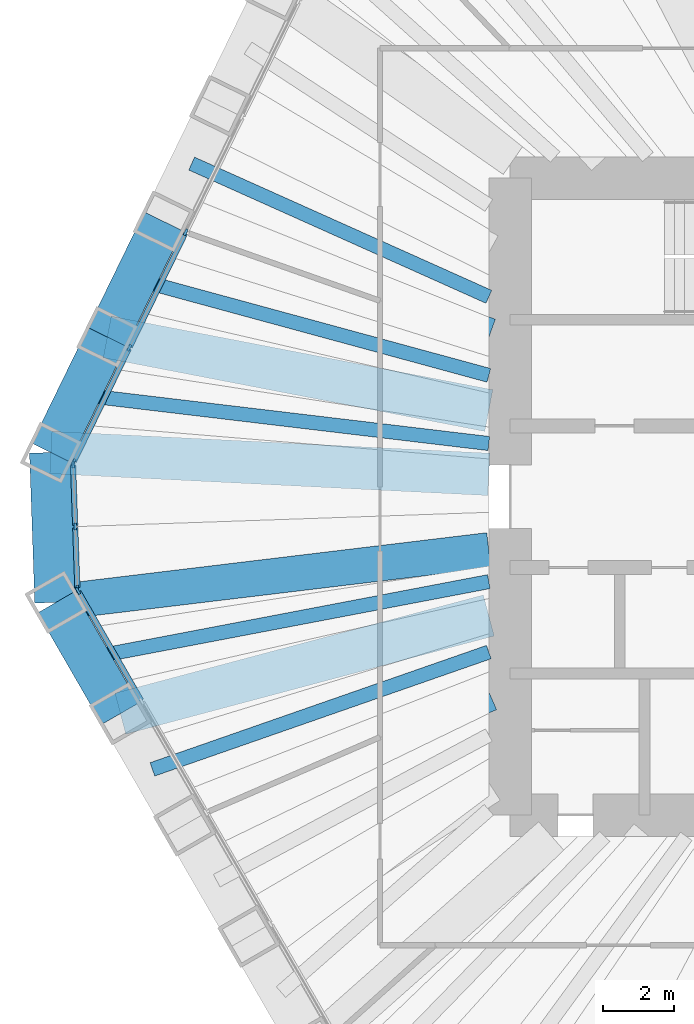
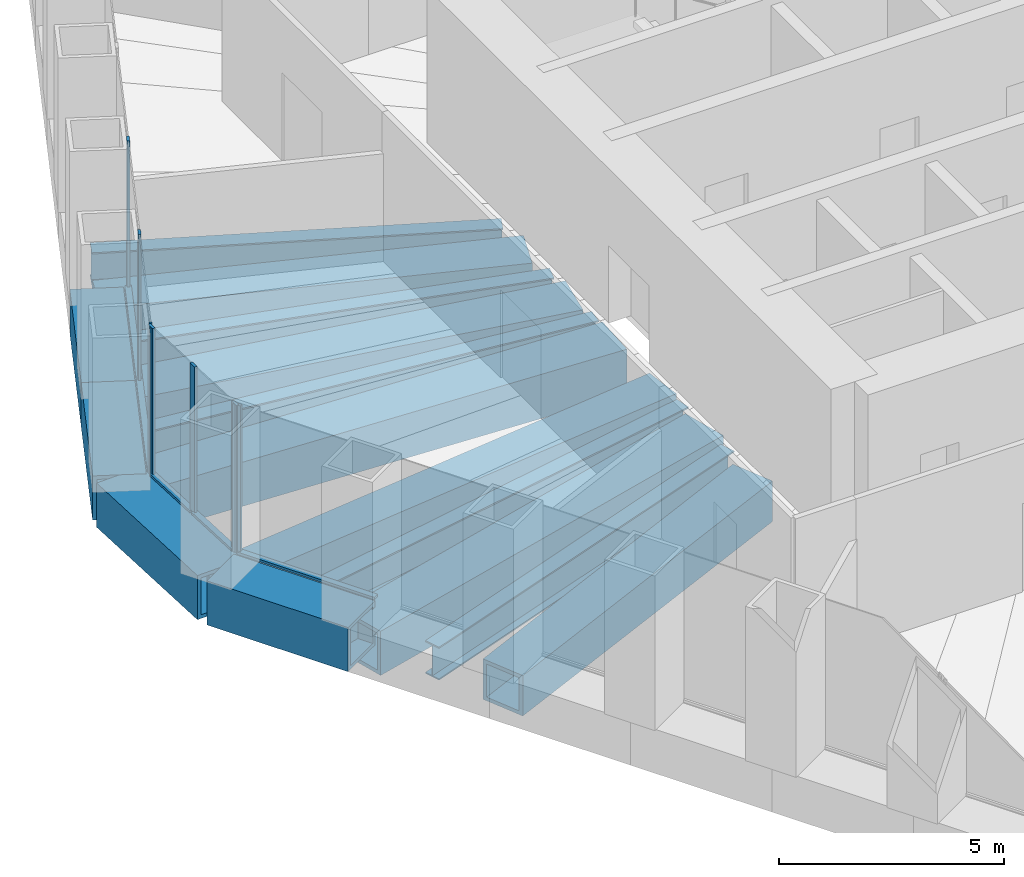
# One storey, part 3 of 20: 16 members, 11 beams, 3 elements without a shape of their own.
"""IFC4 building model written with IfcOpenShell, lengths in metres."""

from ifc_helpers import new_model, si_unit, direction, frame, origin, origin_2d, place, context, subcontext, project, spatial, rectangle, hollow_rectangle, i_section, extrude, material, material_profile, profile_set, type_object, element, aggregate, save


model = new_model("IFC4")

# Units and contexts
model_context = context("Model", 3, precision=1e-05, world=origin(), true_north=direction((0.0, 1.0)))
body_context = subcontext(model_context, "Body", "Model", "MODEL_VIEW")
ifc_project = project(units=[si_unit("LENGTHUNIT", "METRE"), si_unit("AREAUNIT", "SQUARE_METRE"), si_unit("VOLUMEUNIT", "CUBIC_METRE"), si_unit("PLANEANGLEUNIT", "RADIAN"), si_unit("MASSUNIT", "GRAM", prefix="KILO")], contexts=[model_context])

# Site, building, storey
site_placement = place(None, origin())
site = spatial("IfcSite", under=ifc_project, at=site_placement, CompositionType="ELEMENT")
building_placement = place(site_placement, origin())
building = spatial("IfcBuilding", under=site, at=building_placement, Name="Qingtian Harvest Tower", CompositionType="ELEMENT")
storey_placement = place(building_placement, frame((0.0, 0.0, 180.39990234375)))
storey = spatial("IfcBuildingStorey", under=building, at=storey_placement, Name="L38", CompositionType="ELEMENT", Elevation=180.39990234375)

# Members
ifc_material_1 = material(Name="Steel SM570MC", Category="steel")
ifc_material_profile_1 = material_profile(ifc_material_1, hollow_rectangle(XDim=1.199951171875, YDim=1.199951171875, WallThickness=0.10009765625, at=origin_2d()), Name="BOX1200x1200x100")
ifc_profile_set_1 = profile_set([ifc_material_profile_1], Name="Steel SM570MC")
member_type_1 = type_object("IfcMemberType", Name="Belt truss chord BC2 BOX1200x1200x100", PredefinedType="CHORD", material=ifc_profile_set_1)
member_1_placement = place(storey_placement, frame((-23.016357421875, -6.13427734375, -0.599853515625), z_axis=(-0.500026827678, 0.866009914263, 0.0), x_axis=(-0.866009914263, -0.500026827678, 0.0)))
element("IfcMember", 1, at=member_1_placement, inside=storey, type_object=member_type_1, Name="Belt chord BC2 SW5", PredefinedType="CHORD", context=body_context, shape_type="SweptSolid", body=[
    extrude(hollow_rectangle(XDim=1.199951171875, YDim=1.199951171875, WallThickness=0.10009765625, at=origin_2d()), origin(), (0.0, 0.0, 1.0), 3.633544921875),
])
member_2_placement = place(storey_placement, frame((-24.833251953125, -2.987548828125, -0.599853515625), z_axis=(-0.034908677553, 0.999390506375, 0.0), x_axis=(-0.999390506375, -0.034908677553, 0.0)))
element("IfcMember", 2, at=member_2_placement, inside=storey, type_object=member_type_1, Name="Belt chord BC2 SWC", PredefinedType="CHORD", context=body_context, shape_type="SweptSolid", body=[
    extrude(hollow_rectangle(XDim=1.199951171875, YDim=1.199951171875, WallThickness=0.10009765625, at=origin_2d()), origin(), (0.0, 0.0, 1.0), 4.23828125),
])
for number, where, z_axis, x_axis, name in (
    (3, (-24.981201171875, 1.248046875, -0.599853515625), (0.438349498419, 0.898804604592, 0.0), (-0.898804604592, 0.438349498419, 0.0), "Belt chord BC2 NW0"),
    (4, (-23.388427734375, 4.513916015625, -0.599853515625), (0.438430251153, 0.898765216769, 0.0), (-0.898765216769, 0.438430251153, 0.0), "Belt chord BC2 NW1"),
):
    element("IfcMember", number, at=place(storey_placement, frame(where, z_axis=z_axis, x_axis=x_axis)), inside=storey, type_object=member_type_1, Name=name, PredefinedType="CHORD", context=body_context, shape_type="SweptSolid", body=[
        extrude(hollow_rectangle(XDim=1.199951171875, YDim=1.199951171875, WallThickness=0.10009765625, at=origin_2d()), origin(), (0.0, 0.0, 1.0), 3.633544921875),
    ])

# Beams
ifc_material_2 = material(Name="Steel SN490B", Category="steel")
ifc_material_profile_2 = material_profile(ifc_material_2, i_section(OverallWidth=0.39990234375, OverallDepth=0.89990234375, WebThickness=0.01904296875, FlangeThickness=0.035888671875, at=origin_2d()), Name="H900x400x19x36")
ifc_profile_set_2 = profile_set([ifc_material_profile_2], Name="Steel SN490B")
beam_type_1 = type_object("IfcBeamType", Name="Floor joist J4 H900x400x19x36", PredefinedType="JOIST", material=ifc_profile_set_2)
beam_1_placement = place(storey_placement, frame((-22.108154296875, -7.707763671875, -0.619873046875), z_axis=(0.944256456951, 0.329210788868, 0.0), x_axis=(-0.329210788868, 0.944256456951, 0.0)))
element("IfcBeam", 5, at=beam_1_placement, inside=storey, type_object=beam_type_1, Name="Floor joist J4 SW4", PredefinedType="JOIST", context=body_context, shape_type="SweptSolid", body=[
    extrude(i_section(OverallWidth=0.39990234375, OverallDepth=0.89990234375, WebThickness=0.01904296875, FlangeThickness=0.035888671875, at=origin_2d()), origin(), (0.0, 0.0, 1.0), 10.0693359375),
])
beam_2_placement = place(storey_placement, frame((-23.9248046875, -4.56103515625, -0.619873046875), z_axis=(0.982309082743, 0.187266830912, 0.0), x_axis=(-0.187266830912, 0.982309082743, 0.0)))
element("IfcBeam", 6, at=beam_2_placement, inside=storey, type_object=beam_type_1, Name="Floor joist J4 SW5", PredefinedType="JOIST", context=body_context, shape_type="SweptSolid", body=[
    extrude(i_section(OverallWidth=0.39990234375, OverallDepth=0.89990234375, WebThickness=0.01904296875, FlangeThickness=0.035888671875, at=origin_2d()), origin(), (0.0, 0.0, 1.0), 11.528564453125),
])
beam_3_placement = place(storey_placement, frame((-24.184814453125, 2.880859375, -0.619873046875), z_axis=(0.992980727423, -0.11827626544, 0.0), x_axis=(0.11827626544, 0.992980727423, 0.0)))
element("IfcBeam", 7, at=beam_3_placement, inside=storey, type_object=beam_type_1, Name="Floor joist J4 NW0", PredefinedType="JOIST", context=body_context, shape_type="SweptSolid", body=[
    extrude(i_section(OverallWidth=0.39990234375, OverallDepth=0.89990234375, WebThickness=0.01904296875, FlangeThickness=0.035888671875, at=origin_2d()), origin(), (0.0, 0.0, 1.0), 11.66650390625),
])
beam_4_placement = place(storey_placement, frame((-22.591796875, 6.146728515625, -0.619873046875), z_axis=(0.964923062728, -0.26253282274, 0.0), x_axis=(0.26253282274, 0.964923062728, 0.0)))
element("IfcBeam", 8, at=beam_4_placement, inside=storey, type_object=beam_type_1, Name="Floor joist J4 NW1", PredefinedType="JOIST", context=body_context, shape_type="SweptSolid", body=[
    extrude(i_section(OverallWidth=0.39990234375, OverallDepth=0.89990234375, WebThickness=0.01904296875, FlangeThickness=0.035888671875, at=origin_2d()), origin(), (0.0, 0.0, 1.0), 10.35498046875),
])
beam_5_placement = place(storey_placement, frame((-20.9990234375, 9.41259765625, -0.619873046875), z_axis=(0.912515128421, -0.409042956671, 0.0), x_axis=(0.409042956671, 0.912515128421, 0.0)))
element("IfcBeam", 9, at=beam_5_placement, inside=storey, type_object=beam_type_1, Name="Floor joist J4 NW2", PredefinedType="JOIST", context=body_context, shape_type="SweptSolid", body=[
    extrude(i_section(OverallWidth=0.39990234375, OverallDepth=0.89990234375, WebThickness=0.01904296875, FlangeThickness=0.035888671875, at=origin_2d()), origin(), (0.0, 0.0, 1.0), 9.2041015625),
])

# Curtain wall, member
ifc_material_3 = material(Name="Bronze-anodised aluminium curtain wall", Category="aluminium")
curtain_wall_type = type_object("IfcCurtainWallType", Name="Curtain wall CW3 sky lobby", PredefinedType="USERDEFINED", material=ifc_material_3)
curtain_wall_1_placement = place(storey_placement, origin())
curtain_wall_1 = element("IfcCurtainWall", 10, at=curtain_wall_1_placement, inside=storey, type_object=curtain_wall_type, Name="Curtain wall CW3 L38 SW0-5", ObjectType="RECESSED CURTAIN WALL", PredefinedType="USERDEFINED")
ifc_material_4 = material(Name="Bronze-anodised aluminium mullion", Category="aluminium")
ifc_material_profile_3 = material_profile(ifc_material_4, rectangle(XDim=0.06494140625, YDim=0.199951171875, at=origin_2d()), Name="AL 65x200")
ifc_profile_set_3 = profile_set([ifc_material_profile_3], Name="Bronze-anodised aluminium mullion")
member_type_2 = type_object("IfcMemberType", Name="Mullion CWM 65x200", PredefinedType="MULLION", material=ifc_profile_set_3)
member_3_placement = place(storey_placement, frame((-24.210693359375, -2.665771484375, 0.0), z_axis=(0.0, 0.0, 1.0), x_axis=(-0.866025403784, -0.5, 0.0)))
member_3 = element("IfcMember", 11, at=member_3_placement, type_object=member_type_2, Name="CW3 mullion 7", PredefinedType="MULLION", context=body_context, shape_type="SweptSolid", body=[
    extrude(rectangle(XDim=0.06494140625, YDim=0.199951171875, at=origin_2d()), origin(), (0.0, 0.0, 1.0), 4.030029296875),
])

# Curtain wall, members
curtain_wall_2_placement = place(storey_placement, origin())
curtain_wall_2 = element("IfcCurtainWall", 12, at=curtain_wall_2_placement, inside=storey, type_object=curtain_wall_type, Name="Curtain wall CW3 L38 SWC", ObjectType="RECESSED CURTAIN WALL", PredefinedType="USERDEFINED")
member_4_placement = place(storey_placement, frame((-24.228271484375, -2.60498046875, 0.0), z_axis=(0.0, 0.0, 1.0), x_axis=(-0.999390827019, -0.034899496703, 0.0)))
member_4 = element("IfcMember", 13, at=member_4_placement, type_object=member_type_2, Name="CW3 mullion 1", PredefinedType="MULLION", context=body_context, shape_type="SweptSolid", body=[
    extrude(rectangle(XDim=0.06494140625, YDim=0.199951171875, at=origin_2d()), origin(), (0.0, 0.0, 1.0), 4.030029296875),
])
member_5_placement = place(storey_placement, frame((-24.28955078125, -0.84814453125, 0.0), z_axis=(0.0, 0.0, 1.0), x_axis=(-0.999390827019, -0.034899496703, 0.0)))
member_5 = element("IfcMember", 14, at=member_5_placement, type_object=member_type_2, Name="CW3 mullion 2", PredefinedType="MULLION", context=body_context, shape_type="SweptSolid", body=[
    extrude(rectangle(XDim=0.06494140625, YDim=0.199951171875, at=origin_2d()), origin(), (0.0, 0.0, 1.0), 4.030029296875),
])
member_6_placement = place(storey_placement, frame((-24.350830078125, 0.90869140625, 0.0), z_axis=(0.0, 0.0, 1.0), x_axis=(-0.999390827019, -0.034899496703, 0.0)))
member_6 = element("IfcMember", 15, at=member_6_placement, type_object=member_type_2, Name="CW3 mullion 3", PredefinedType="MULLION", context=body_context, shape_type="SweptSolid", body=[
    extrude(rectangle(XDim=0.06494140625, YDim=0.199951171875, at=origin_2d()), origin(), (0.0, 0.0, 1.0), 4.030029296875),
])

curtain_wall_3_placement = place(storey_placement, origin())
curtain_wall_3 = element("IfcCurtainWall", 16, at=curtain_wall_3_placement, inside=storey, type_object=curtain_wall_type, Name="Curtain wall CW3 L38 NW0-5", ObjectType="RECESSED CURTAIN WALL", PredefinedType="USERDEFINED")
member_7_placement = place(storey_placement, frame((-24.337646484375, 0.970458984375, 0.0), z_axis=(0.0, 0.0, 1.0), x_axis=(-0.898794046299, 0.438371146789, 0.0)))
member_7 = element("IfcMember", 17, at=member_7_placement, type_object=member_type_2, Name="CW3 mullion 1", PredefinedType="MULLION", context=body_context, shape_type="SweptSolid", body=[
    extrude(rectangle(XDim=0.06494140625, YDim=0.199951171875, at=origin_2d()), origin(), (0.0, 0.0, 1.0), 4.030029296875),
])
member_8_placement = place(storey_placement, frame((-22.759033203125, 4.20703125, 0.0), z_axis=(0.0, 0.0, 1.0), x_axis=(-0.898794046299, 0.438371146789, 0.0)))
member_8 = element("IfcMember", 18, at=member_8_placement, type_object=member_type_2, Name="CW3 mullion 2", PredefinedType="MULLION", context=body_context, shape_type="SweptSolid", body=[
    extrude(rectangle(XDim=0.06494140625, YDim=0.199951171875, at=origin_2d()), origin(), (0.0, 0.0, 1.0), 4.030029296875),
])
member_9_placement = place(storey_placement, frame((-21.166259765625, 7.47265625, 0.0), z_axis=(0.0, 0.0, 1.0), x_axis=(-0.898794046299, 0.438371146789, 0.0)))
member_9 = element("IfcMember", 19, at=member_9_placement, type_object=member_type_2, Name="CW3 mullion 3", PredefinedType="MULLION", context=body_context, shape_type="SweptSolid", body=[
    extrude(rectangle(XDim=0.06494140625, YDim=0.199951171875, at=origin_2d()), origin(), (0.0, 0.0, 1.0), 4.030029296875),
])

# Beams
ifc_material_5 = material(Name="Steel SM570MC", Category="steel")
ifc_material_profile_4 = material_profile(ifc_material_5, hollow_rectangle(XDim=1.199951171875, YDim=1.199951171875, WallThickness=0.10009765625, at=origin_2d()), Name="BOX1200x1200x100")
ifc_profile_set_4 = profile_set([ifc_material_profile_4], Name="Steel SM570MC")
beam_type_2 = type_object("IfcBeamType", Name="Outrigger chord beam OC2 BOX1200x1200x100", PredefinedType="BEAM", material=ifc_profile_set_4)
beam_6_placement = place(storey_placement, frame((-23.016357421875, -6.13427734375, -0.77001953125), z_axis=(0.966270640629, 0.257528734433, 0.0), x_axis=(-0.257528734433, 0.966270640629, 0.0)))
element("IfcBeam", 20, at=beam_6_placement, inside=storey, type_object=beam_type_2, Name="Floor beam OC2 SW5", PredefinedType="BEAM", context=body_context, shape_type="SweptSolid", body=[
    extrude(hollow_rectangle(XDim=1.199951171875, YDim=1.199951171875, WallThickness=0.10009765625, at=origin_2d()), origin(), (0.0, 0.0, 1.0), 10.77978515625),
])
beam_7_placement = place(storey_placement, frame((-24.981201171875, 1.248046875, -0.77001953125), z_axis=(0.998753959075, -0.049905202459, 0.0), x_axis=(0.049905202459, 0.998753959075, 0.0)))
element("IfcBeam", 21, at=beam_7_placement, inside=storey, type_object=beam_type_2, Name="Floor beam OC2 NW0", PredefinedType="BEAM", context=body_context, shape_type="SweptSolid", body=[
    extrude(hollow_rectangle(XDim=1.199951171875, YDim=1.199951171875, WallThickness=0.10009765625, at=origin_2d()), origin(), (0.0, 0.0, 1.0), 12.396484375),
])
beam_8_placement = place(storey_placement, frame((-23.388427734375, 4.513916015625, -0.77001953125), z_axis=(0.981878004162, -0.189514075845, 0.0), x_axis=(0.189514075845, 0.981878004162, 0.0)))
element("IfcBeam", 22, at=beam_8_placement, inside=storey, type_object=beam_type_2, Name="Floor beam OC2 NW1", PredefinedType="BEAM", context=body_context, shape_type="SweptSolid", body=[
    extrude(hollow_rectangle(XDim=1.199951171875, YDim=1.199951171875, WallThickness=0.10009765625, at=origin_2d()), origin(), (0.0, 0.0, 1.0), 10.987548828125),
])
ifc_material_6 = material(Name="Steel SM570MC", Category="steel")
ifc_material_profile_5 = material_profile(ifc_material_6, hollow_rectangle(XDim=1.0, YDim=1.0, WallThickness=0.080078125, at=origin_2d()), Name="BOX1000x1000x80")
ifc_profile_set_5 = profile_set([ifc_material_profile_5], Name="Steel SM570MC")
beam_type_3 = type_object("IfcBeamType", Name="Transfer corner beam FB11 BOX1000x1000x80", PredefinedType="BEAM", material=ifc_profile_set_5)
beam_9_placement = place(storey_placement, frame((-24.833251953125, -2.987548828125, -0.669921875), z_axis=(0.992841259631, 0.119441337798, 0.0), x_axis=(-0.119441337798, 0.992841259631, 0.0)))
element("IfcBeam", 23, at=beam_9_placement, inside=storey, type_object=beam_type_3, Name="Floor beam FB11 SW6", PredefinedType="BEAM", context=body_context, shape_type="SweptSolid", body=[
    extrude(hollow_rectangle(XDim=1.0, YDim=1.0, WallThickness=0.080078125, at=origin_2d()), origin(), (0.0, 0.0, 1.0), 12.3212890625),
])
ifc_material_7 = material(Name="Steel SM570MC", Category="steel")
ifc_material_profile_6 = material_profile(ifc_material_7, hollow_rectangle(XDim=1.10009765625, YDim=1.10009765625, WallThickness=0.10009765625, at=origin_2d()), Name="BOX1100x1100x100")
ifc_profile_set_6 = profile_set([ifc_material_profile_6], Name="Steel SM570MC")
beam_type_4 = type_object("IfcBeamType", Name="Transfer floor beam FB9 BOX1100x1100x100", PredefinedType="BEAM", material=ifc_profile_set_6)
beam_10_placement = place(storey_placement, frame((-21.19970703125, -9.281005859375, -0.719970703125), z_axis=(0.916057031544, 0.401048020765, 0.0), x_axis=(-0.401048020765, 0.916057031544, 0.0)))
element("IfcBeam", 24, at=beam_10_placement, inside=storey, type_object=beam_type_4, Name="Floor beam FB9 SW4", PredefinedType="BEAM", context=body_context, shape_type="SweptSolid", body=[
    extrude(hollow_rectangle(XDim=1.10009765625, YDim=1.10009765625, WallThickness=0.10009765625, at=origin_2d()), origin(), (0.0, 0.0, 1.0), 9.3876953125),
])
beam_11_placement = place(storey_placement, frame((-21.79541015625, 7.779541015625, -0.719970703125), z_axis=(0.941800733255, -0.336171650857, 0.0), x_axis=(0.336171650857, 0.941800733255, 0.0)))
element("IfcBeam", 25, at=beam_11_placement, inside=storey, type_object=beam_type_4, Name="Floor beam FB9 NW2", PredefinedType="BEAM", context=body_context, shape_type="SweptSolid", body=[
    extrude(hollow_rectangle(XDim=1.10009765625, YDim=1.10009765625, WallThickness=0.10009765625, at=origin_2d()), origin(), (0.0, 0.0, 1.0), 9.763427734375),
])

# Member
ifc_material_8 = material(Name="Bronze-anodised aluminium transom", Category="aluminium")
ifc_material_profile_7 = material_profile(ifc_material_8, rectangle(XDim=0.14990234375, YDim=0.06494140625, at=origin_2d()), Name="AL 65x150")
ifc_profile_set_7 = profile_set([ifc_material_profile_7], Name="Bronze-anodised aluminium transom")
member_type_3 = type_object("IfcMemberType", Name="Transom CWT 65x150", PredefinedType="USERDEFINED", material=ifc_profile_set_7)
member_10_placement = place(storey_placement, frame((-22.426513671875, -5.756103515625, 0.03271484375), z_axis=(-0.500015305566, 0.866016566931, 0.0), x_axis=(-0.866016566931, -0.500015305566, 0.0)))
member_10 = element("IfcMember", 26, at=member_10_placement, type_object=member_type_3, Name="CW3 transom 6.1", ObjectType="TRANSOM", PredefinedType="USERDEFINED", context=body_context, shape_type="SweptSolid", body=[
    extrude(rectangle(XDim=0.14990234375, YDim=0.06494140625, at=origin_2d()), origin(), (0.0, 0.0, 1.0), 3.5361328125),
])

aggregate(curtain_wall_1, [member_3, member_10])

member_11_placement = place(storey_placement, frame((-24.229248046875, -2.572509765625, 0.03271484375), z_axis=(-0.034899362377, 0.99939083171, 0.0), x_axis=(-0.99939083171, -0.034899362377, 0.0)))
member_11 = element("IfcMember", 27, at=member_11_placement, type_object=member_type_3, Name="CW3 transom 1.1", ObjectType="TRANSOM", PredefinedType="USERDEFINED", context=body_context, shape_type="SweptSolid", body=[
    extrude(rectangle(XDim=0.14990234375, YDim=0.06494140625, at=origin_2d()), origin(), (0.0, 0.0, 1.0), 1.69287109375),
])

member_12_placement = place(storey_placement, frame((-24.29052734375, -0.815673828125, 0.03271484375), z_axis=(-0.034899362377, 0.99939083171, 0.0), x_axis=(-0.99939083171, -0.034899362377, 0.0)))
member_12 = element("IfcMember", 28, at=member_12_placement, type_object=member_type_3, Name="CW3 transom 2.1", ObjectType="TRANSOM", PredefinedType="USERDEFINED", context=body_context, shape_type="SweptSolid", body=[
    extrude(rectangle(XDim=0.14990234375, YDim=0.06494140625, at=origin_2d()), origin(), (0.0, 0.0, 1.0), 1.69287109375),
])

aggregate(curtain_wall_2, [member_4, member_5, member_6, member_11, member_12])

member_13_placement = place(storey_placement, frame((-24.323486328125, 0.99951171875, 0.03271484375), z_axis=(0.438354255898, 0.898802284341, 0.0), x_axis=(-0.898802284341, 0.438354255898, 0.0)))
member_13 = element("IfcMember", 29, at=member_13_placement, type_object=member_type_3, Name="CW3 transom 1.1", ObjectType="TRANSOM", PredefinedType="USERDEFINED", context=body_context, shape_type="SweptSolid", body=[
    extrude(rectangle(XDim=0.14990234375, YDim=0.06494140625, at=origin_2d()), origin(), (0.0, 0.0, 1.0), 3.5361328125),
])

member_14_placement = place(storey_placement, frame((-22.744873046875, 4.236083984375, 0.03271484375), z_axis=(0.438325233634, 0.89881643819, 0.0), x_axis=(-0.89881643819, 0.438325233634, 0.0)))
member_14 = element("IfcMember", 30, at=member_14_placement, type_object=member_type_3, Name="CW3 transom 2.1", ObjectType="TRANSOM", PredefinedType="USERDEFINED", context=body_context, shape_type="SweptSolid", body=[
    extrude(rectangle(XDim=0.14990234375, YDim=0.06494140625, at=origin_2d()), origin(), (0.0, 0.0, 1.0), 3.568603515625),
])

aggregate(curtain_wall_3, [member_7, member_8, member_9, member_13, member_14])

save(model, "model.ifc")
